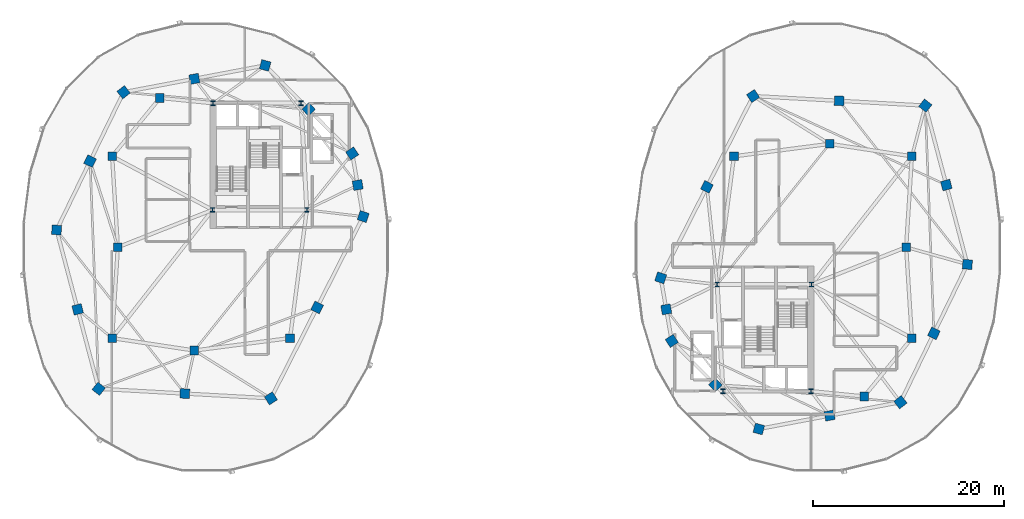
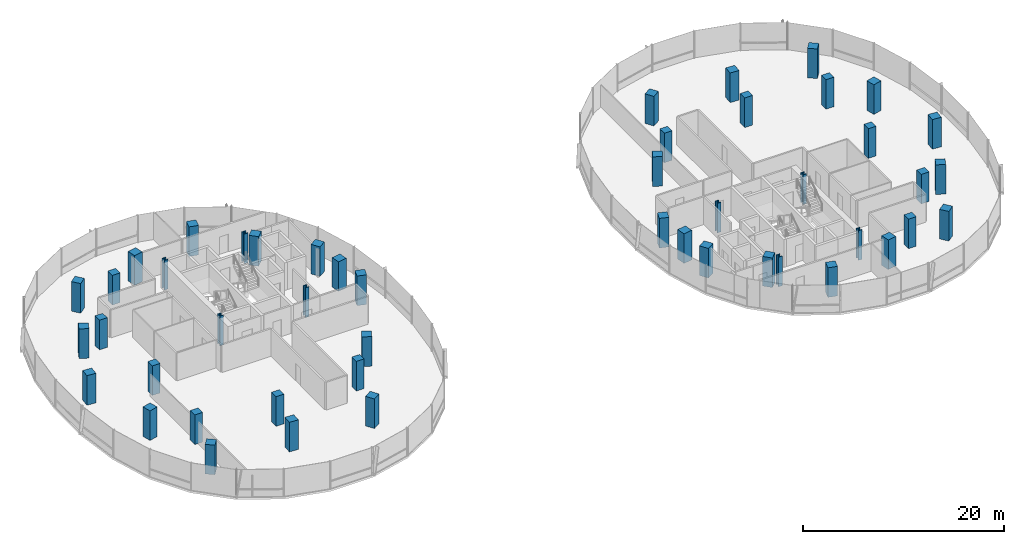
# One storey, part 1 of 21: 48 columns.
"""IFC4 building model written with IfcOpenShell, lengths in metres."""

from ifc_helpers import new_model, si_unit, direction, frame, origin, origin_2d, place, context, subcontext, project, spatial, rectangle, i_section, extrude, material, material_profile, profile_set, type_object, element, save


model = new_model("IFC4")

# Units and contexts
model_context = context("Model", 3, precision=1e-05, world=origin(), true_north=direction((0.0, 1.0)))
body_context = subcontext(model_context, "Body", "Model", "MODEL_VIEW")
ifc_project = project(units=[si_unit("LENGTHUNIT", "METRE"), si_unit("AREAUNIT", "SQUARE_METRE"), si_unit("VOLUMEUNIT", "CUBIC_METRE"), si_unit("PLANEANGLEUNIT", "RADIAN"), si_unit("MASSUNIT", "GRAM", prefix="KILO"), si_unit("THERMODYNAMICTEMPERATUREUNIT", "KELVIN"), si_unit("POWERUNIT", "WATT")], contexts=[model_context])

# Site, building, storey
site_placement = place(None, origin())
site = spatial("IfcSite", under=ifc_project, at=site_placement, CompositionType="ELEMENT")
building_placement = place(site_placement, origin())
building = spatial("IfcBuilding", under=site, at=building_placement, Name="Cundina Bronze Exchange", CompositionType="ELEMENT")
storey_placement = place(building_placement, frame((0.0, 0.0, 180.0)))
storey = spatial("IfcBuildingStorey", under=building, at=storey_placement, Name="L47", CompositionType="ELEMENT", Elevation=180.0)

# Columns
ifc_material_1 = material(Name="Steel ASTM A992 Grade 50", Category="steel")
ifc_material_profile_1 = material_profile(ifc_material_1, i_section(OverallWidth=0.431884765625, OverallDepth=0.498046875, WebThickness=0.0556640625, FlangeThickness=0.0888671875, FilletRadius=0.01806640625, at=origin_2d()), Name="W14X500", Category="steel")
ifc_profile_set_1 = profile_set([ifc_material_profile_1], Name="Steel ASTM A992 Grade 50")
column_type_1 = type_object("IfcColumnType", Name="COL-STL-W14A", PredefinedType="COLUMN", material=ifc_profile_set_1)
for number, where, z_axis, x_axis, name in (
    (1, (-31.300048828125, 3.89990234375, 0.0), (0.0, 0.0, 1.0), (1.0, 0.0, 0.0), "L47 Core Anchor Column W1"),
    (2, (-21.449951171875, 3.89990234375, 0.0), (0.0, 0.0, 1.0), (1.0, 0.0, 0.0), "L47 Core Anchor Column W2"),
    (3, (-22.050048828125, 15.050048828125, 0.0), (0.0, 0.0, 1.0), (1.0, 0.0, 0.0), "L47 Core Anchor Column W3"),
    (4, (-31.25, 15.050048828125, 0.0), (0.0, 0.0, 1.0), (1.0, 0.0, 0.0), "L47 Core Anchor Column W4"),
    (5, (31.300048828125, -3.89990234375, 0.0), (0.0, 0.0, 1.0), (1.0, 0.0, 0.0), "L47 Core Anchor Column E1"),
    (6, (21.449951171875, -3.89990234375, 0.0), (0.0, 0.0, 1.0), (1.0, 0.0, 0.0), "L47 Core Anchor Column E2"),
    (7, (22.050048828125, -15.050048828125, 0.0), (0.0, 0.0, 1.0), (1.0, 0.0, 0.0), "L47 Core Anchor Column E3"),
    (8, (31.25, -15.050048828125, 0.0), (0.0, 0.0, 1.0), (1.0, 0.0, 0.0), "L47 Core Anchor Column E4"),
):
    element("IfcColumn", number, at=place(storey_placement, frame(where, z_axis=z_axis, x_axis=x_axis)), inside=storey, type_object=column_type_1, Name=name, PredefinedType="COLUMN", context=body_context, shape_type="SweptSolid", body=[
        extrude(i_section(OverallWidth=0.431884765625, OverallDepth=0.498046875, WebThickness=0.0556640625, FlangeThickness=0.0888671875, FilletRadius=0.01806640625, at=origin_2d()), origin(), (0.0, 0.0, 1.0), 3.60009765625),
    ])
ifc_material_2 = material(Name="Concrete C50/60", Category="concrete")
ifc_material_profile_2 = material_profile(ifc_material_2, rectangle(XDim=1.0, YDim=1.0, at=origin_2d()), Name="RC1000X1000", Category="concrete")
ifc_profile_set_2 = profile_set([ifc_material_profile_2], Name="Concrete C50/60")
column_type_2 = type_object("IfcColumnType", Name="COL-Z3-1000", PredefinedType="COLUMN", material=ifc_profile_set_2)
for number, where, z_axis, x_axis, name in (
    (9, (-15.550048828125, 3.199951171875, 0.0), (0.0, 0.0, 1.0), (0.315152163383, 0.949041155016, 0.0), "L47 W Perimeter Column 00"),
    (10, (-16.125, 6.5, 0.0), (0.0, 0.0, 1.0), (-0.171585221787, 0.985169280715, 0.0), "L47 W Perimeter Column 01"),
    (11, (-16.699951171875, 9.800048828125, 0.0), (0.0, 0.0, 1.0), (-0.544199833495, 0.838955625301, 0.0), "L47 W Perimeter Column 02"),
    (12, (-21.25, 14.39990234375, 0.0), (0.0, 0.0, 1.0), (-0.703270634186, 0.710922228581, 0.0), "L47 W Perimeter Column 03"),
    (13, (-25.800048828125, 19.0, 0.0), (0.0, 0.0, 1.0), (-0.965970984022, 0.258650455301, 0.0), "L47 W Perimeter Column 04"),
    (14, (-33.199951171875, 17.60009765625, 0.0), (0.0, 0.0, 1.0), (-0.98258037664, -0.185838110843, 0.0), "L47 W Perimeter Column 05"),
    (15, (-40.60009765625, 16.199951171875, 0.0), (0.0, 0.0, 1.0), (-0.785100778485, -0.619368038909, 0.0), "L47 W Perimeter Column 06"),
    (16, (-44.10009765625, 9.0, 0.0), (0.0, 0.0, 1.0), (-0.437115766651, -0.899405251566, 0.0), "L47 W Perimeter Column 07"),
    (17, (-47.60009765625, 1.800048828125, 0.0), (0.0, 0.0, 1.0), (-0.083503921245, -0.996507448611, 0.0), "L47 W Perimeter Column 08"),
    (18, (-45.39990234375, -6.5, 0.0), (0.0, 0.0, 1.0), (0.256289373133, -0.966600102017, 0.0), "L47 W Perimeter Column 09"),
    (19, (-43.199951171875, -14.800048828125, 0.0), (0.0, 0.0, 1.0), (0.786288432137, -0.61785961309, 0.0), "L47 W Perimeter Column 10"),
    (20, (-34.199951171875, -15.300048828125, 0.0), (0.0, 0.0, 1.0), (0.998460188734, -0.055472980025, 0.0), "L47 W Perimeter Column 11"),
    (21, (-25.199951171875, -15.800048828125, 0.0), (0.0, 0.0, 1.0), (0.838099763533, 0.545516989988, 0.0), "L47 W Perimeter Column 12"),
    (22, (-20.375, -6.300048828125, 0.0), (0.0, 0.0, 1.0), (0.452901591366, 0.891560513111, 0.0), "L47 W Perimeter Column 13"),
    (23, (15.550048828125, -3.199951171875, 0.0), (0.0, 0.0, 1.0), (-0.315152163383, -0.949041155016, 0.0), "L47 E Perimeter Column 00"),
    (24, (16.125, -6.5, 0.0), (0.0, 0.0, 1.0), (0.171585221787, -0.985169280715, 0.0), "L47 E Perimeter Column 01"),
    (25, (16.699951171875, -9.800048828125, 0.0), (0.0, 0.0, 1.0), (0.544199833495, -0.838955625301, 0.0), "L47 E Perimeter Column 02"),
    (26, (21.25, -14.39990234375, 0.0), (0.0, 0.0, 1.0), (0.703270634186, -0.710922228581, 0.0), "L47 E Perimeter Column 03"),
    (27, (25.800048828125, -19.0, 0.0), (0.0, 0.0, 1.0), (0.965970984022, -0.258650455301, 0.0), "L47 E Perimeter Column 04"),
    (28, (33.199951171875, -17.60009765625, 0.0), (0.0, 0.0, 1.0), (0.98258037664, 0.185838110843, 0.0), "L47 E Perimeter Column 05"),
    (29, (40.60009765625, -16.199951171875, 0.0), (0.0, 0.0, 1.0), (0.785100778485, 0.619368038909, 0.0), "L47 E Perimeter Column 06"),
    (30, (44.10009765625, -9.0, 0.0), (0.0, 0.0, 1.0), (0.437115766651, 0.899405251566, 0.0), "L47 E Perimeter Column 07"),
    (31, (47.60009765625, -1.800048828125, 0.0), (0.0, 0.0, 1.0), (0.083503921245, 0.996507448611, 0.0), "L47 E Perimeter Column 08"),
    (32, (45.39990234375, 6.5, 0.0), (0.0, 0.0, 1.0), (-0.256289373133, 0.966600102017, 0.0), "L47 E Perimeter Column 09"),
    (33, (43.199951171875, 14.800048828125, 0.0), (0.0, 0.0, 1.0), (-0.786288432137, 0.61785961309, 0.0), "L47 E Perimeter Column 10"),
    (34, (34.199951171875, 15.300048828125, 0.0), (0.0, 0.0, 1.0), (-0.998460188734, 0.055472980025, 0.0), "L47 E Perimeter Column 11"),
    (35, (25.199951171875, 15.800048828125, 0.0), (0.0, 0.0, 1.0), (-0.838099763533, -0.545516989988, 0.0), "L47 E Perimeter Column 12"),
    (36, (20.375, 6.300048828125, 0.0), (0.0, 0.0, 1.0), (-0.452901591366, -0.891560513111, 0.0), "L47 E Perimeter Column 13"),
):
    element("IfcColumn", number, at=place(storey_placement, frame(where, z_axis=z_axis, x_axis=x_axis)), inside=storey, type_object=column_type_2, Name=name, PredefinedType="COLUMN", context=body_context, shape_type="SweptSolid", body=[
        extrude(rectangle(XDim=1.0, YDim=1.0, at=origin_2d()), origin(), (0.0, 0.0, 1.0), 3.60009765625),
    ])
ifc_material_profile_3 = material_profile(ifc_material_2, rectangle(XDim=0.89990234375, YDim=0.89990234375, at=origin_2d()), Name="RC900X900", Category="concrete")
ifc_profile_set_3 = profile_set([ifc_material_profile_3], Name="Concrete C50/60")
column_type_3 = type_object("IfcColumnType", Name="COL-Z4-900", PredefinedType="COLUMN", material=ifc_profile_set_3)
for number, where, z_axis, x_axis, name in (
    (37, (-41.199951171875, 0.0, 0.0), (0.0, 0.0, 1.0), (1.0, 0.0, 0.0), "L47 W Inner Ring Column 1"),
    (38, (-41.800048828125, 9.5, 0.0), (0.0, 0.0, 1.0), (1.0, 0.0, 0.0), "L47 W Inner Ring Column 2"),
    (39, (-36.800048828125, 15.60009765625, 0.0), (0.0, 0.0, 1.0), (1.0, 0.0, 0.0), "L47 W Inner Ring Column 3"),
    (40, (-41.800048828125, -9.5, 0.0), (0.0, 0.0, 1.0), (1.0, 0.0, 0.0), "L47 W Inner Ring Column 4"),
    (41, (-33.199951171875, -10.800048828125, 0.0), (0.0, 0.0, 1.0), (1.0, 0.0, 0.0), "L47 W Inner Ring Column 5"),
    (42, (-23.199951171875, -9.5, 0.0), (0.0, 0.0, 1.0), (1.0, 0.0, 0.0), "L47 W Inner Ring Column 6"),
    (43, (41.199951171875, 0.0, 0.0), (0.0, 0.0, 1.0), (1.0, 0.0, 0.0), "L47 E Inner Ring Column 1"),
    (44, (41.800048828125, -9.5, 0.0), (0.0, 0.0, 1.0), (1.0, 0.0, 0.0), "L47 E Inner Ring Column 2"),
    (45, (36.800048828125, -15.60009765625, 0.0), (0.0, 0.0, 1.0), (1.0, 0.0, 0.0), "L47 E Inner Ring Column 3"),
    (46, (41.800048828125, 9.5, 0.0), (0.0, 0.0, 1.0), (1.0, 0.0, 0.0), "L47 E Inner Ring Column 4"),
    (47, (33.199951171875, 10.800048828125, 0.0), (0.0, 0.0, 1.0), (1.0, 0.0, 0.0), "L47 E Inner Ring Column 5"),
    (48, (23.199951171875, 9.5, 0.0), (0.0, 0.0, 1.0), (1.0, 0.0, 0.0), "L47 E Inner Ring Column 6"),
):
    element("IfcColumn", number, at=place(storey_placement, frame(where, z_axis=z_axis, x_axis=x_axis)), inside=storey, type_object=column_type_3, Name=name, PredefinedType="COLUMN", context=body_context, shape_type="SweptSolid", body=[
        extrude(rectangle(XDim=0.89990234375, YDim=0.89990234375, at=origin_2d()), origin(), (0.0, 0.0, 1.0), 3.60009765625),
    ])

save(model, "model.ifc")
